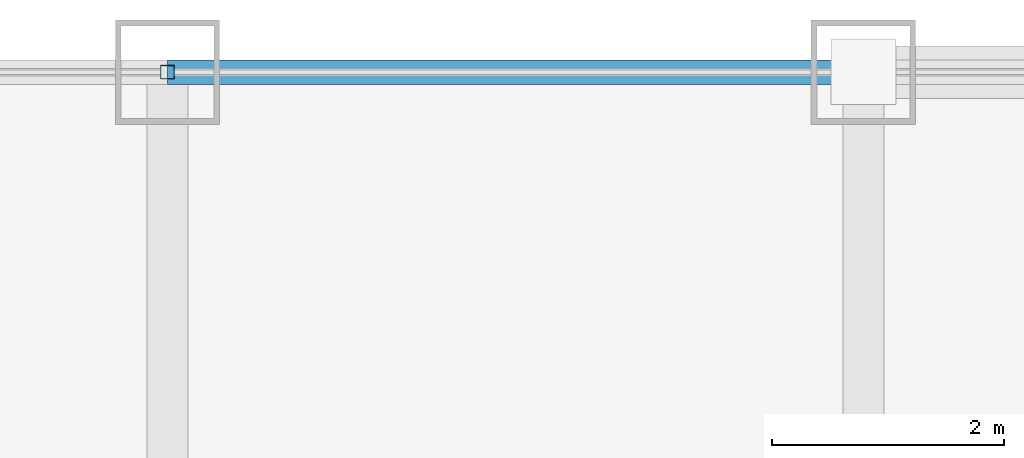
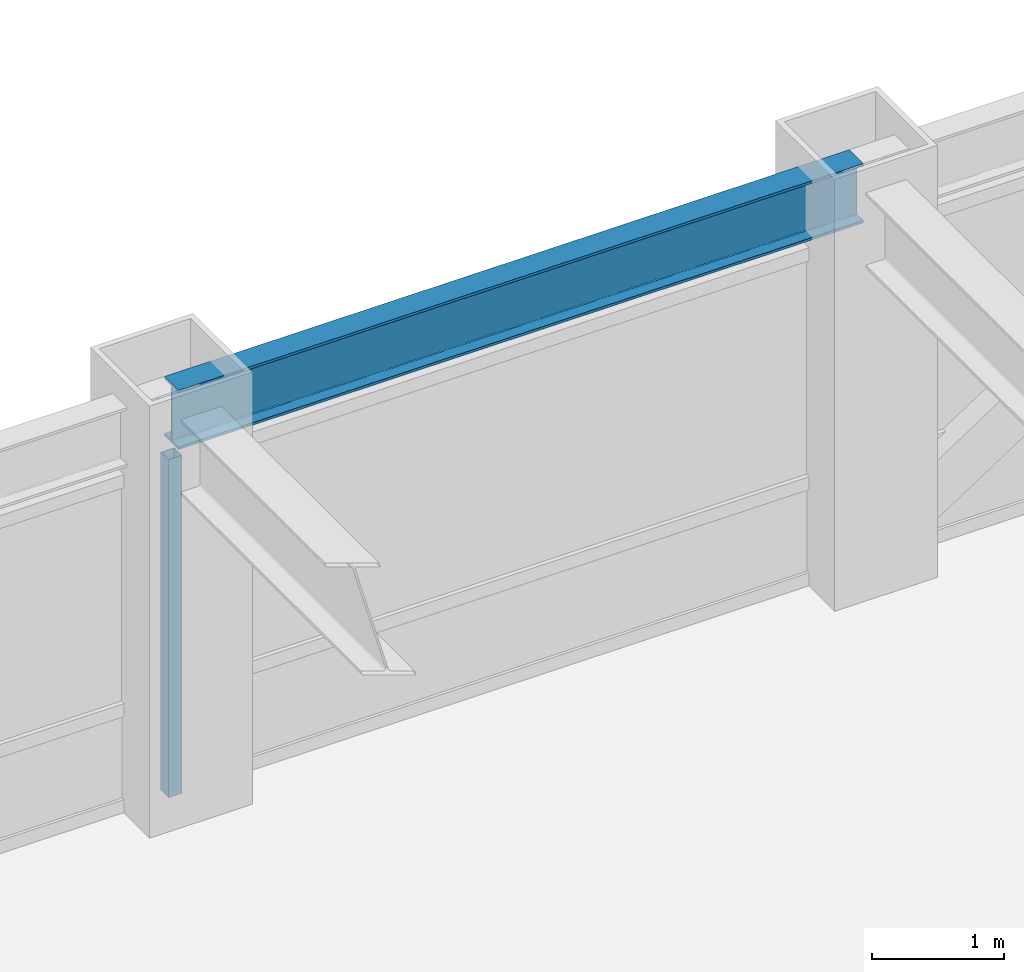
# One storey, part 14 of 22: 1 beam, 1 member, 1 element without a shape of its own.
"""IFC4 building model written with IfcOpenShell, lengths in metres."""

from ifc_helpers import new_model, si_unit, direction, frame, origin, origin_2d, place, context, subcontext, project, spatial, hollow_rectangle, i_section, extrude, source, transform, mapped, material, material_profile, profile_set, type_object, element, aggregate, save


model = new_model("IFC4")

# Units and contexts
model_context = context("Model", 3, precision=1e-05, world=origin(), true_north=direction((0.0, 1.0)))
body_context = subcontext(model_context, "Body", "Model", "MODEL_VIEW")
ifc_project = project(units=[si_unit("LENGTHUNIT", "METRE"), si_unit("AREAUNIT", "SQUARE_METRE"), si_unit("VOLUMEUNIT", "CUBIC_METRE"), si_unit("PLANEANGLEUNIT", "RADIAN"), si_unit("MASSUNIT", "GRAM", prefix="KILO")], contexts=[model_context])

# Site, building, storey
site_placement = place(None, origin())
site = spatial("IfcSite", under=ifc_project, at=site_placement, CompositionType="ELEMENT")
building_placement = place(site_placement, origin())
building = spatial("IfcBuilding", under=site, at=building_placement, Name="Khorayat Bourse Tower", CompositionType="ELEMENT")
storey_placement = place(building_placement, frame((0.0, 0.0, 293.5)))
storey = spatial("IfcBuildingStorey", under=building, at=storey_placement, Name="L69", CompositionType="ELEMENT", Elevation=293.5)

# Beam
ifc_material_1 = material(Name="Steel ASTM A992 Grade 50", Category="steel")
ifc_material_profile_1 = material_profile(ifc_material_1, i_section(OverallWidth=0.214111328125, OverallDepth=0.549072265625, WebThickness=0.0146484375, FlangeThickness=0.023681640625, FilletRadius=0.013916015625, at=origin_2d()), Name="W530X138")
ifc_profile_set_1 = profile_set([ifc_material_profile_1], Name="Steel ASTM A992 Grade 50")
beam_type = type_object("IfcBeamType", Name="BM-SPAN-530", PredefinedType="SPANDREL", material=ifc_profile_set_1)
shared_shape_1 = source(origin(), body_context, "Body", "SweptSolid", [
    extrude(i_section(OverallWidth=0.214111328125, OverallDepth=0.549072265625, WebThickness=0.0146484375, FlangeThickness=0.023681640625, FilletRadius=0.013916015625, at=origin_2d()), origin(), (0.0, 0.0, 1.0), 6.0),
])
beam_placement = place(storey_placement, frame((0.0, 28.0, 3.505615234375), z_axis=(1.0, 0.0, 0.0), x_axis=(0.0, 1.0, 0.0)))
element("IfcBeam", 1, at=beam_placement, inside=storey, type_object=beam_type, Name="L69 BM-SPAN-530 BM-L69-SPN-047", PredefinedType="SPANDREL", context=body_context, shape_type="MappedRepresentation", body=[
    mapped(shared_shape_1, transform((0.0, 0.0, 0.0), scale=1.0)),
])

# Curtain wall, member
ifc_material_2 = material(Name="Aluminium EN AW-6063 T6", Category="aluminium")
curtain_wall_type = type_object("IfcCurtainWallType", Name="CW-SYS-04", PredefinedType="NOTDEFINED", material=ifc_material_2)
curtain_wall_placement = place(storey_placement, origin())
curtain_wall = element("IfcCurtainWall", 2, at=curtain_wall_placement, inside=storey, type_object=curtain_wall_type, Name="L69 Curtain Wall CW-L69-N1", PredefinedType="NOTDEFINED")
ifc_material_profile_2 = material_profile(ifc_material_2, hollow_rectangle(XDim=0.1201171875, YDim=0.1201171875, WallThickness=0.0048828125, at=origin_2d()), Name="ALU 120x120x5")
ifc_profile_set_2 = profile_set([ifc_material_profile_2], Name="Aluminium EN AW-6063 T6")
member_type = type_object("IfcMemberType", Name="CWM-VERT-120", PredefinedType="MULLION", material=ifc_profile_set_2)
shared_shape_2 = source(origin(), body_context, "Body", "SweptSolid", [
    extrude(hollow_rectangle(XDim=0.1201171875, YDim=0.1201171875, WallThickness=0.0048828125, at=origin_2d()), origin(), (0.0, 0.0, 1.0), 3.1298828125),
])
member_placement = place(storey_placement, frame((0.0, 28.0, 0.0), z_axis=(0.0, 0.0, 1.0), x_axis=(0.0, 1.0, 0.0)))
member = element("IfcMember", 3, at=member_placement, type_object=member_type, Name="CW-L69-N1 Vertical Mullion 2", PredefinedType="MULLION", context=body_context, shape_type="MappedRepresentation", body=[
    mapped(shared_shape_2, transform((0.0, 0.0, 0.0), scale=1.0)),
])
aggregate(curtain_wall, [member])

save(model, "model.ifc")
